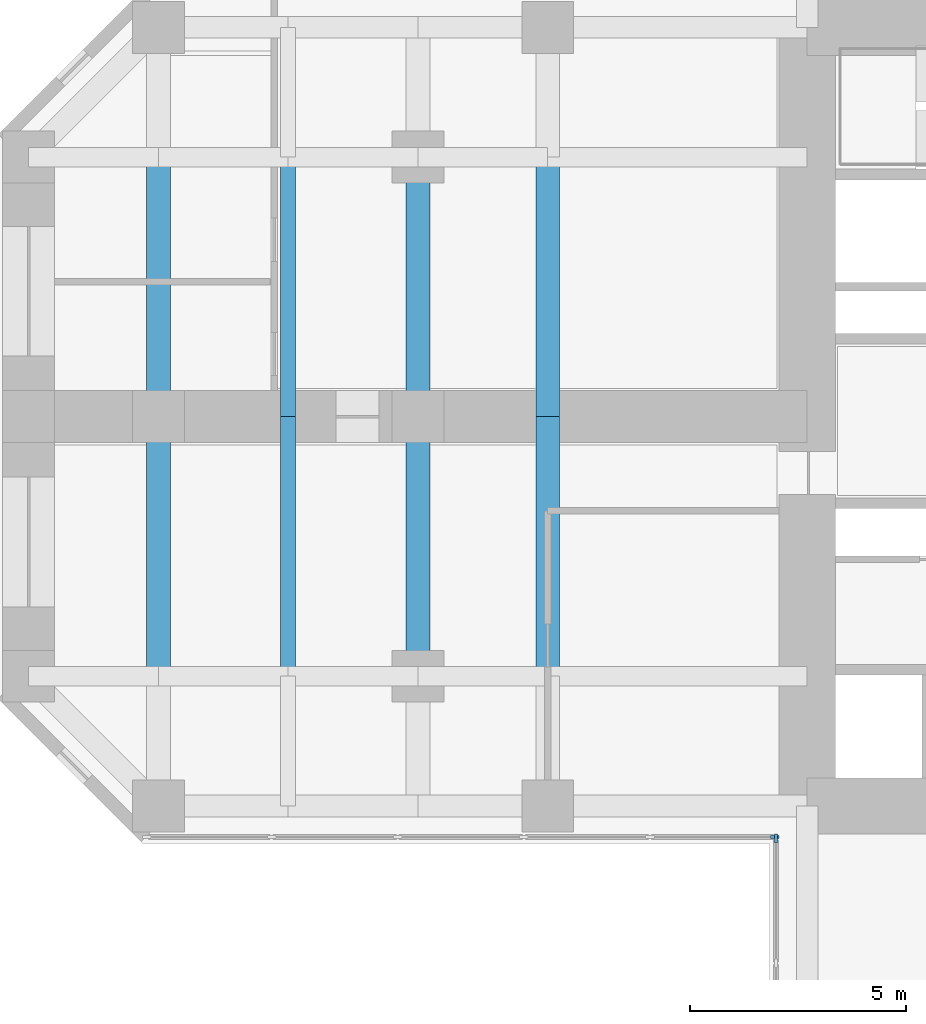
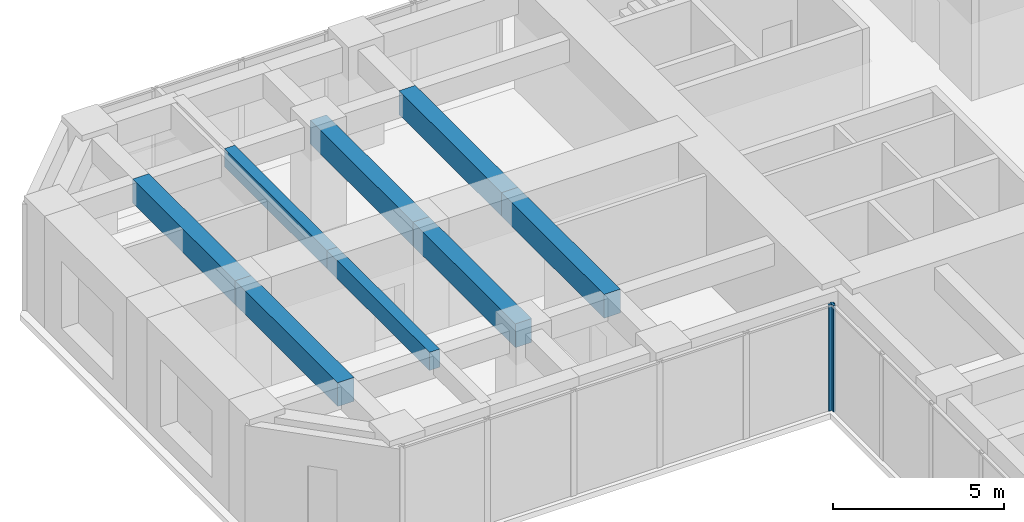
# One storey, part 3 of 12: 8 beams, 2 members, 2 elements without a shape of their own.
"""IFC4 building model written with IfcOpenShell, lengths in metres."""

import ifcopenshell
import ifcopenshell.guid

model = None  # the IFC model being written
_history = None  # IfcOwnerHistory: only IFC2X3 demands one
_inside = {}  # id of a spatial element -> (the spatial element, [elements in it])
_under = {}  # id of a project, library or spatial element -> (it, [spatial elements below it])
_declared = {}  # id of a project -> (the project, [libraries it declares])
_typed = {}  # id of a type object -> (the type object, [elements of that type])
_made_of = {}  # id of a material, layer set ... -> (it, [elements and type objects made of it])


def new_model(schema):
    """Start an empty IFC model of exactly this schema.

    Asked for "IFC4X3", IfcOpenShell would pick the latest addendum, in which some entities
    have other attributes; the version numbers below select the first issue.
    IFC2X3 requires an IfcOwnerHistory on every rooted entity: one is made here for all.
    """
    global model, _history
    if schema == "IFC4X3":
        model = ifcopenshell.file(schema_version=(4, 3, 0, 0))
    else:
        model = ifcopenshell.file(schema=schema)
    _inside.clear()
    _under.clear()
    _declared.clear()
    _typed.clear()
    _made_of.clear()
    _history = None
    if model.schema == "IFC2X3":
        org = make("IfcOrganization", Name="unknown")
        user = make(
            "IfcPersonAndOrganization",
            ThePerson=make("IfcPerson", FamilyName="unknown"),
            TheOrganization=org,
        )
        app = make(
            "IfcApplication",
            ApplicationDeveloper=org,
            Version="unknown",
            ApplicationFullName="unknown",
            ApplicationIdentifier="unknown",
        )
        _history = make(
            "IfcOwnerHistory",
            OwningUser=user,
            OwningApplication=app,
            ChangeAction="ADDED",
            CreationDate=0,
        )
    return model


def make(cls, **values):
    """One entity of the class cls with the attributes given. An attribute that is None is left unset."""
    return model.create_entity(
        cls, **{name: value for name, value in values.items() if value is not None}
    )


def rooted(cls, **values):
    """An entity with a GlobalId (a new one), such as an element, a storey or a relation."""
    return make(cls, GlobalId=ifcopenshell.guid.new(), OwnerHistory=_history, **values)


def si_unit(unit_type, name, prefix=None):
    """IfcSIUnit, for example si_unit("LENGTHUNIT", "METRE", prefix="MILLI")."""
    return make("IfcSIUnit", UnitType=unit_type, Prefix=prefix, Name=name)


def assignment(units):
    """IfcUnitAssignment: the units of a project."""
    return None if units is None else make("IfcUnitAssignment", Units=units)


def point(xyz):
    """IfcCartesianPoint."""
    return None if xyz is None else make("IfcCartesianPoint", Coordinates=xyz)


def direction(xyz):
    """IfcDirection."""
    return None if xyz is None else make("IfcDirection", DirectionRatios=xyz)


def frame(location, z_axis=None, x_axis=None):
    """IfcAxis2Placement3D, a coordinate frame: its origin and axes. An axis left out is left unset."""
    return make(
        "IfcAxis2Placement3D",
        Location=point(location),
        Axis=direction(z_axis),
        RefDirection=direction(x_axis),
    )


def frame_2d(location, x_axis=None):
    """IfcAxis2Placement2D, a coordinate frame in the plane: its origin and x axis."""
    return make(
        "IfcAxis2Placement2D", Location=point(location), RefDirection=direction(x_axis)
    )


def origin():
    """The frame at (0, 0, 0) with its axes left unset."""
    return frame((0.0, 0.0, 0.0))


def origin_2d():
    """The frame at (0, 0) in the plane with its x axis left unset."""
    return frame_2d((0.0, 0.0))


def place(relative_to, where):
    """IfcLocalPlacement: puts the frame where relative to a parent placement (None: the world)."""
    return make(
        "IfcLocalPlacement", PlacementRelTo=relative_to, RelativePlacement=where
    )


def context(
    kind, dimensions, precision=None, world=None, true_north=None, identifier=None
):
    """IfcGeometricRepresentationContext, for example the 3D "Model" context."""
    return make(
        "IfcGeometricRepresentationContext",
        ContextIdentifier=identifier,
        ContextType=kind,
        CoordinateSpaceDimension=dimensions,
        Precision=precision,
        WorldCoordinateSystem=world,
        TrueNorth=true_north,
    )


def subcontext(parent, identifier, kind, view, scale=None):
    """IfcGeometricRepresentationSubContext, for example "Body" below "Model"."""
    return make(
        "IfcGeometricRepresentationSubContext",
        ContextIdentifier=identifier,
        ContextType=kind,
        ParentContext=parent,
        TargetScale=scale,
        TargetView=view,
    )


def project(units=None, contexts=None):
    """IfcProject with its units and contexts."""
    return rooted(
        "IfcProject",
        Name="project",
        RepresentationContexts=contexts,
        UnitsInContext=assignment(units),
    )


def spatial(cls, under=None, at=None, **own):
    """A site, building, storey or space (cls), placed at a placement, below another one or the project."""
    s = rooted(cls, ObjectPlacement=at, **own)
    if under is not None:
        _under.setdefault(under.id(), (under, []))[1].append(s)
    return s


def profile(cls, at=None, kind="AREA", **sizes):
    """A parametric profile (cls). Its sizes go by their IFC names, for example OverallWidth=200.0."""
    return make(cls, ProfileType=kind, Position=at, **sizes)


def rectangle(**sizes):
    """IfcRectangleProfileDef."""
    return profile("IfcRectangleProfileDef", **sizes)


def extrude(swept, where, along, depth):
    """IfcExtrudedAreaSolid: the profile swept, set in the frame where, extruded along a direction by depth."""
    return make(
        "IfcExtrudedAreaSolid",
        SweptArea=swept,
        Position=where,
        ExtrudedDirection=direction(along),
        Depth=depth,
    )


def shape(context_of_items, identifier, shape_type, items):
    """IfcShapeRepresentation: the items that make up one representation, for example the "Body"."""
    return make(
        "IfcShapeRepresentation",
        ContextOfItems=context_of_items,
        RepresentationIdentifier=identifier,
        RepresentationType=shape_type,
        Items=items,
    )


def material(Name=None, Category=None):
    """IfcMaterial."""
    return make("IfcMaterial", Name=Name, Category=Category)


def material_profile(
    of_material, cross_section, Name=None, Category=None, Priority=None
):
    """IfcMaterialProfile: a cross section and its material."""
    return make(
        "IfcMaterialProfile",
        Name=Name,
        Material=of_material,
        Profile=cross_section,
        Priority=Priority,
        Category=Category,
    )


def profile_set(profiles, Name=None, composite=None):
    """IfcMaterialProfileSet."""
    return make(
        "IfcMaterialProfileSet",
        Name=Name,
        MaterialProfiles=profiles,
        CompositeProfile=composite,
    )


def made_of(thing, what):
    """Note that an element or type object is made of a material, layer set ...; save() writes the relation."""
    if what is not None:
        _made_of.setdefault(what.id(), (what, []))[1].append(thing)
    return thing


def type_object(cls, material=None, **own):
    """A type object (cls), such as IfcWallType, which elements share."""
    return made_of(rooted(cls, **own), material)


def element(
    cls,
    number,
    at=None,
    inside=None,
    cuts=None,
    type_object=None,
    material=None,
    context=None,
    identifier="Body",
    shape_type=None,
    held_by="IfcProductDefinitionShape",
    body=None,
    shapes=None,
    **own,
):
    """One element of the class cls, such as IfcWall. Its Tag is "e" and its number.

    at: its placement. inside: the storey or other place that contains it. cuts: it is an
    opening in that element (IfcRelVoidsElement). A single representation is given by context,
    identifier, shape_type and body (its items); several are given by shapes. held_by: the class
    of the entity that holds the representations. save() writes the other relations.
    """
    e = rooted(cls, Tag="e%d" % number, ObjectPlacement=at, **own)
    if body is not None:
        shapes = [shape(context, identifier, shape_type, body)]
    if shapes is not None:
        e.Representation = make(held_by, Representations=shapes)
    if inside is not None:
        _inside.setdefault(inside.id(), (inside, []))[1].append(e)
    if cuts is not None:
        rooted(
            "IfcRelVoidsElement", RelatingBuildingElement=cuts, RelatedOpeningElement=e
        )
    if type_object is not None:
        _typed.setdefault(type_object.id(), (type_object, []))[1].append(e)
    return made_of(e, material)


def aggregate(whole, parts):
    """IfcRelAggregates: a whole, such as a stair, and the parts it consists of."""
    return rooted("IfcRelAggregates", RelatingObject=whole, RelatedObjects=parts)


def save(model, path):
    """Write the relations noted so far, then the file.

    IfcRelAggregates (storeys below a building ...), IfcRelContainedInSpatialStructure (elements
    in a storey), IfcRelDefinesByType, IfcRelAssociatesMaterial and IfcRelDeclares: one each for
    every whole, place, type object, material and project.
    """
    for whole, parts in _under.values():
        aggregate(whole, parts)
    for where, things in _inside.values():
        rooted(
            "IfcRelContainedInSpatialStructure",
            RelatedElements=things,
            RelatingStructure=where,
        )
    for kind, things in _typed.values():
        rooted("IfcRelDefinesByType", RelatedObjects=things, RelatingType=kind)
    for what, things in _made_of.values():
        rooted("IfcRelAssociatesMaterial", RelatedObjects=things, RelatingMaterial=what)
    for by, libraries in _declared.values():
        rooted("IfcRelDeclares", RelatingContext=by, RelatedDefinitions=libraries)
    model.write(path)


model = new_model("IFC4")

# Units and contexts
model_context = context("Model", 3, precision=1e-05, world=origin(), true_north=direction((0.0, 1.0)))
body_context = subcontext(model_context, "Body", "Model", "MODEL_VIEW")
ifc_project = project(units=[si_unit("LENGTHUNIT", "METRE"), si_unit("AREAUNIT", "SQUARE_METRE"), si_unit("VOLUMEUNIT", "CUBIC_METRE"), si_unit("PLANEANGLEUNIT", "RADIAN"), si_unit("MASSUNIT", "GRAM", prefix="KILO")], contexts=[model_context])

# Site, building, storey
site_placement = place(None, origin())
site = spatial("IfcSite", under=ifc_project, at=site_placement, CompositionType="ELEMENT")
building_placement = place(site_placement, origin())
building = spatial("IfcBuilding", under=site, at=building_placement, Name="Torre Cruceta", CompositionType="ELEMENT")
storey_placement = place(building_placement, frame((0.0, 0.0, 75.5)))
storey = spatial("IfcBuildingStorey", under=building, at=storey_placement, Name="L18", CompositionType="ELEMENT", Elevation=75.5)

# Beams
ifc_material_1 = material(Name="Concrete G60 (fck 60 MPa)", Category="concrete")
ifc_material_profile_1 = material_profile(ifc_material_1, rectangle(XDim=0.550048828125, YDim=0.85009765625, at=origin_2d()), Name="RC 550X850")
ifc_profile_set_1 = profile_set([ifc_material_profile_1], Name="Concrete G60 (fck 60 MPa)")
beam_type_1 = type_object("IfcBeamType", Name="CROSS BEAM RC 550X850", PredefinedType="BEAM", material=ifc_profile_set_1)
for number, where, z_axis, x_axis, name in (
    (1, (-15.0, 6.0, 3.375), (0.0, -1.0, 0.0), (1.0, 0.0, 0.0), "GB4 L18 W cross15 2"),
    (2, (-15.0, 0.0, 3.375), (0.0, -1.0, 0.0), (1.0, 0.0, 0.0), "GB4 L18 W cross15 3"),
    (3, (-18.0, 6.0, 3.375), (0.0, -1.0, 0.0), (1.0, 0.0, 0.0), "GB4 L18 W cross18 2"),
    (4, (-18.0, 0.0, 3.375), (0.0, -1.0, 0.0), (1.0, 0.0, 0.0), "GB4 L18 W cross18 3"),
    (5, (-24.0, 6.0, 3.375), (0.0, -1.0, 0.0), (1.0, 0.0, 0.0), "GB4 L18 W cross24 2"),
    (6, (-24.0, 0.0, 3.375), (0.0, -1.0, 0.0), (1.0, 0.0, 0.0), "GB4 L18 W cross24 3"),
):
    element("IfcBeam", number, at=place(storey_placement, frame(where, z_axis=z_axis, x_axis=x_axis)), inside=storey, type_object=beam_type_1, Name=name, PredefinedType="BEAM", context=body_context, shape_type="SweptSolid", body=[
        extrude(rectangle(XDim=0.550048828125, YDim=0.85009765625, at=origin_2d()), origin(), (0.0, 0.0, 1.0), 6.0),
    ])

# Curtain wall, member
ifc_material_2 = material(Name="Aluminium unitised curtain wall", Category="aluminium")
curtain_wall_type = type_object("IfcCurtainWallType", Name="CURTAIN WALL CW-A OFFICE LOW RISE", PredefinedType="USERDEFINED", material=ifc_material_2)
curtain_wall_1_placement = place(storey_placement, origin())
curtain_wall_1 = element("IfcCurtainWall", 7, at=curtain_wall_1_placement, inside=storey, type_object=curtain_wall_type, Name="CW-A L18 W side 14", ObjectType="UNITISED", PredefinedType="USERDEFINED")
ifc_material_3 = material(Name="Aluminium mullion", Category="aluminium")
ifc_material_profile_2 = material_profile(ifc_material_3, rectangle(XDim=0.06494140625, YDim=0.199951171875, at=origin_2d()), Name="AL 65X200")
ifc_profile_set_2 = profile_set([ifc_material_profile_2], Name="Aluminium mullion")
member_type = type_object("IfcMemberType", Name="CW-A MULLION 65X200", PredefinedType="MULLION", material=ifc_profile_set_2)
member_1_placement = place(storey_placement, frame((-9.75244140625, -9.719970703125, 0.0), z_axis=(0.0, 0.0, 1.0), x_axis=(0.0, 1.0, 0.0)))
member_1 = element("IfcMember", 8, at=member_1_placement, type_object=member_type, Name="CW-A mullion 6", PredefinedType="MULLION", context=body_context, shape_type="SweptSolid", body=[
    extrude(rectangle(XDim=0.06494140625, YDim=0.199951171875, at=origin_2d()), origin(), (0.0, 0.0, 1.0), 3.800048828125),
])
aggregate(curtain_wall_1, [member_1])

curtain_wall_2_placement = place(storey_placement, origin())
curtain_wall_2 = element("IfcCurtainWall", 9, at=curtain_wall_2_placement, inside=storey, type_object=curtain_wall_type, Name="CW-A L18 S side 15", ObjectType="UNITISED", PredefinedType="USERDEFINED")
member_2_placement = place(storey_placement, frame((-9.719970703125, -9.75244140625, 0.0), z_axis=(0.0, 0.0, 1.0), x_axis=(1.0, 0.0, 0.0)))
member_2 = element("IfcMember", 10, at=member_2_placement, type_object=member_type, Name="CW-A mullion 1", PredefinedType="MULLION", context=body_context, shape_type="SweptSolid", body=[
    extrude(rectangle(XDim=0.06494140625, YDim=0.199951171875, at=origin_2d()), origin(), (0.0, 0.0, 1.0), 3.800048828125),
])
aggregate(curtain_wall_2, [member_2])

# Beams
ifc_material_4 = material(Name="Concrete G60 (fck 60 MPa)", Category="concrete")
ifc_material_profile_3 = material_profile(ifc_material_4, rectangle(XDim=0.35009765625, YDim=0.64990234375, at=origin_2d()), Name="RC 350X650")
ifc_profile_set_3 = profile_set([ifc_material_profile_3], Name="Concrete G60 (fck 60 MPa)")
beam_type_2 = type_object("IfcBeamType", Name="SECONDARY BEAM RC 350X650", PredefinedType="JOIST", material=ifc_profile_set_3)
for number, where, z_axis, x_axis, name in (
    (11, (-21.0, 6.0, 3.47509765625), (0.0, -1.0, 0.0), (1.0, 0.0, 0.0), "JB3 L18 W sec21 2"),
    (12, (-21.0, 0.0, 3.47509765625), (0.0, -1.0, 0.0), (1.0, 0.0, 0.0), "JB3 L18 W sec21 3"),
):
    element("IfcBeam", number, at=place(storey_placement, frame(where, z_axis=z_axis, x_axis=x_axis)), inside=storey, type_object=beam_type_2, Name=name, PredefinedType="JOIST", context=body_context, shape_type="SweptSolid", body=[
        extrude(rectangle(XDim=0.35009765625, YDim=0.64990234375, at=origin_2d()), origin(), (0.0, 0.0, 1.0), 6.0),
    ])

save(model, "model.ifc")
